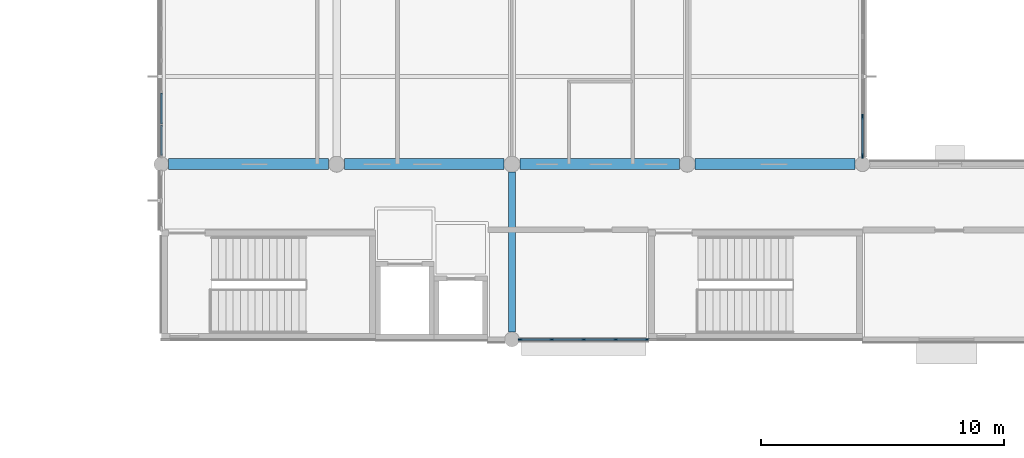
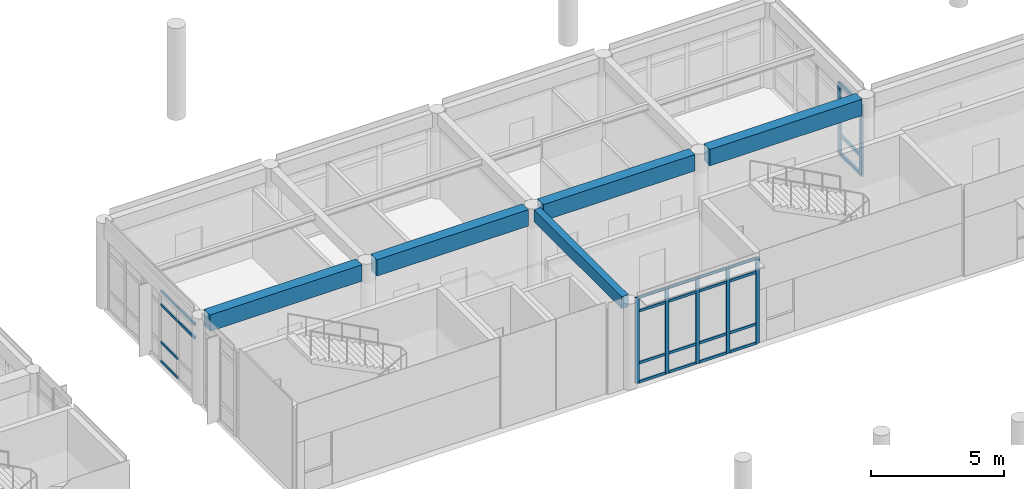
# One storey, part 11 of 55: 33 members, 5 beams, 3 elements without a shape of their own.
"""IFC4 building model written with IfcOpenShell, lengths in metres."""

import ifcopenshell
import ifcopenshell.guid

model = None  # the IFC model being written
_history = None  # IfcOwnerHistory: only IFC2X3 demands one
_inside = {}  # id of a spatial element -> (the spatial element, [elements in it])
_under = {}  # id of a project, library or spatial element -> (it, [spatial elements below it])
_declared = {}  # id of a project -> (the project, [libraries it declares])
_typed = {}  # id of a type object -> (the type object, [elements of that type])
_made_of = {}  # id of a material, layer set ... -> (it, [elements and type objects made of it])


def new_model(schema):
    """Start an empty IFC model of exactly this schema.

    Asked for "IFC4X3", IfcOpenShell would pick the latest addendum, in which some entities
    have other attributes; the version numbers below select the first issue.
    IFC2X3 requires an IfcOwnerHistory on every rooted entity: one is made here for all.
    """
    global model, _history
    if schema == "IFC4X3":
        model = ifcopenshell.file(schema_version=(4, 3, 0, 0))
    else:
        model = ifcopenshell.file(schema=schema)
    _inside.clear()
    _under.clear()
    _declared.clear()
    _typed.clear()
    _made_of.clear()
    _history = None
    if model.schema == "IFC2X3":
        org = make("IfcOrganization", Name="unknown")
        user = make(
            "IfcPersonAndOrganization",
            ThePerson=make("IfcPerson", FamilyName="unknown"),
            TheOrganization=org,
        )
        app = make(
            "IfcApplication",
            ApplicationDeveloper=org,
            Version="unknown",
            ApplicationFullName="unknown",
            ApplicationIdentifier="unknown",
        )
        _history = make(
            "IfcOwnerHistory",
            OwningUser=user,
            OwningApplication=app,
            ChangeAction="ADDED",
            CreationDate=0,
        )
    return model


def make(cls, **values):
    """One entity of the class cls with the attributes given. An attribute that is None is left unset."""
    return model.create_entity(
        cls, **{name: value for name, value in values.items() if value is not None}
    )


def rooted(cls, **values):
    """An entity with a GlobalId (a new one), such as an element, a storey or a relation."""
    return make(cls, GlobalId=ifcopenshell.guid.new(), OwnerHistory=_history, **values)


def si_unit(unit_type, name, prefix=None):
    """IfcSIUnit, for example si_unit("LENGTHUNIT", "METRE", prefix="MILLI")."""
    return make("IfcSIUnit", UnitType=unit_type, Prefix=prefix, Name=name)


def assignment(units):
    """IfcUnitAssignment: the units of a project."""
    return None if units is None else make("IfcUnitAssignment", Units=units)


def point(xyz):
    """IfcCartesianPoint."""
    return None if xyz is None else make("IfcCartesianPoint", Coordinates=xyz)


def direction(xyz):
    """IfcDirection."""
    return None if xyz is None else make("IfcDirection", DirectionRatios=xyz)


def frame(location, z_axis=None, x_axis=None):
    """IfcAxis2Placement3D, a coordinate frame: its origin and axes. An axis left out is left unset."""
    return make(
        "IfcAxis2Placement3D",
        Location=point(location),
        Axis=direction(z_axis),
        RefDirection=direction(x_axis),
    )


def frame_2d(location, x_axis=None):
    """IfcAxis2Placement2D, a coordinate frame in the plane: its origin and x axis."""
    return make(
        "IfcAxis2Placement2D", Location=point(location), RefDirection=direction(x_axis)
    )


def origin():
    """The frame at (0, 0, 0) with its axes left unset."""
    return frame((0.0, 0.0, 0.0))


def origin_2d():
    """The frame at (0, 0) in the plane with its x axis left unset."""
    return frame_2d((0.0, 0.0))


def place(relative_to, where):
    """IfcLocalPlacement: puts the frame where relative to a parent placement (None: the world)."""
    return make(
        "IfcLocalPlacement", PlacementRelTo=relative_to, RelativePlacement=where
    )


def context(
    kind, dimensions, precision=None, world=None, true_north=None, identifier=None
):
    """IfcGeometricRepresentationContext, for example the 3D "Model" context."""
    return make(
        "IfcGeometricRepresentationContext",
        ContextIdentifier=identifier,
        ContextType=kind,
        CoordinateSpaceDimension=dimensions,
        Precision=precision,
        WorldCoordinateSystem=world,
        TrueNorth=true_north,
    )


def subcontext(parent, identifier, kind, view, scale=None):
    """IfcGeometricRepresentationSubContext, for example "Body" below "Model"."""
    return make(
        "IfcGeometricRepresentationSubContext",
        ContextIdentifier=identifier,
        ContextType=kind,
        ParentContext=parent,
        TargetScale=scale,
        TargetView=view,
    )


def project(units=None, contexts=None):
    """IfcProject with its units and contexts."""
    return rooted(
        "IfcProject",
        Name="project",
        RepresentationContexts=contexts,
        UnitsInContext=assignment(units),
    )


def spatial(cls, under=None, at=None, **own):
    """A site, building, storey or space (cls), placed at a placement, below another one or the project."""
    s = rooted(cls, ObjectPlacement=at, **own)
    if under is not None:
        _under.setdefault(under.id(), (under, []))[1].append(s)
    return s


def profile(cls, at=None, kind="AREA", **sizes):
    """A parametric profile (cls). Its sizes go by their IFC names, for example OverallWidth=200.0."""
    return make(cls, ProfileType=kind, Position=at, **sizes)


def rectangle(**sizes):
    """IfcRectangleProfileDef."""
    return profile("IfcRectangleProfileDef", **sizes)


def extrude(swept, where, along, depth):
    """IfcExtrudedAreaSolid: the profile swept, set in the frame where, extruded along a direction by depth."""
    return make(
        "IfcExtrudedAreaSolid",
        SweptArea=swept,
        Position=where,
        ExtrudedDirection=direction(along),
        Depth=depth,
    )


def shape(context_of_items, identifier, shape_type, items):
    """IfcShapeRepresentation: the items that make up one representation, for example the "Body"."""
    return make(
        "IfcShapeRepresentation",
        ContextOfItems=context_of_items,
        RepresentationIdentifier=identifier,
        RepresentationType=shape_type,
        Items=items,
    )


def material(Name=None, Category=None):
    """IfcMaterial."""
    return make("IfcMaterial", Name=Name, Category=Category)


def layer(
    of_material, thickness, ventilated=None, Name=None, Category=None, Priority=None
):
    """IfcMaterialLayer: one layer of a wall or slab, of a material (None: an air gap)."""
    return make(
        "IfcMaterialLayer",
        Material=of_material,
        LayerThickness=thickness,
        IsVentilated=ventilated,
        Name=Name,
        Category=Category,
        Priority=Priority,
    )


def layer_set(layers, Name=None):
    """IfcMaterialLayerSet."""
    return make("IfcMaterialLayerSet", MaterialLayers=layers, LayerSetName=Name)


def material_profile(
    of_material, cross_section, Name=None, Category=None, Priority=None
):
    """IfcMaterialProfile: a cross section and its material."""
    return make(
        "IfcMaterialProfile",
        Name=Name,
        Material=of_material,
        Profile=cross_section,
        Priority=Priority,
        Category=Category,
    )


def profile_set(profiles, Name=None, composite=None):
    """IfcMaterialProfileSet."""
    return make(
        "IfcMaterialProfileSet",
        Name=Name,
        MaterialProfiles=profiles,
        CompositeProfile=composite,
    )


def made_of(thing, what):
    """Note that an element or type object is made of a material, layer set ...; save() writes the relation."""
    if what is not None:
        _made_of.setdefault(what.id(), (what, []))[1].append(thing)
    return thing


def type_object(cls, material=None, **own):
    """A type object (cls), such as IfcWallType, which elements share."""
    return made_of(rooted(cls, **own), material)


def element(
    cls,
    number,
    at=None,
    inside=None,
    cuts=None,
    type_object=None,
    material=None,
    context=None,
    identifier="Body",
    shape_type=None,
    held_by="IfcProductDefinitionShape",
    body=None,
    shapes=None,
    **own,
):
    """One element of the class cls, such as IfcWall. Its Tag is "e" and its number.

    at: its placement. inside: the storey or other place that contains it. cuts: it is an
    opening in that element (IfcRelVoidsElement). A single representation is given by context,
    identifier, shape_type and body (its items); several are given by shapes. held_by: the class
    of the entity that holds the representations. save() writes the other relations.
    """
    e = rooted(cls, Tag="e%d" % number, ObjectPlacement=at, **own)
    if body is not None:
        shapes = [shape(context, identifier, shape_type, body)]
    if shapes is not None:
        e.Representation = make(held_by, Representations=shapes)
    if inside is not None:
        _inside.setdefault(inside.id(), (inside, []))[1].append(e)
    if cuts is not None:
        rooted(
            "IfcRelVoidsElement", RelatingBuildingElement=cuts, RelatedOpeningElement=e
        )
    if type_object is not None:
        _typed.setdefault(type_object.id(), (type_object, []))[1].append(e)
    return made_of(e, material)


def aggregate(whole, parts):
    """IfcRelAggregates: a whole, such as a stair, and the parts it consists of."""
    return rooted("IfcRelAggregates", RelatingObject=whole, RelatedObjects=parts)


def save(model, path):
    """Write the relations noted so far, then the file.

    IfcRelAggregates (storeys below a building ...), IfcRelContainedInSpatialStructure (elements
    in a storey), IfcRelDefinesByType, IfcRelAssociatesMaterial and IfcRelDeclares: one each for
    every whole, place, type object, material and project.
    """
    for whole, parts in _under.values():
        aggregate(whole, parts)
    for where, things in _inside.values():
        rooted(
            "IfcRelContainedInSpatialStructure",
            RelatedElements=things,
            RelatingStructure=where,
        )
    for kind, things in _typed.values():
        rooted("IfcRelDefinesByType", RelatedObjects=things, RelatingType=kind)
    for what, things in _made_of.values():
        rooted("IfcRelAssociatesMaterial", RelatedObjects=things, RelatingMaterial=what)
    for by, libraries in _declared.values():
        rooted("IfcRelDeclares", RelatingContext=by, RelatedDefinitions=libraries)
    model.write(path)


model = new_model("IFC4")

# Units and contexts
model_context = context("Model", 3, precision=1e-05, world=origin(), true_north=direction((0.0, 1.0)))
body_context = subcontext(model_context, "Body", "Model", "MODEL_VIEW")
ifc_project = project(units=[si_unit("LENGTHUNIT", "METRE"), si_unit("AREAUNIT", "SQUARE_METRE"), si_unit("VOLUMEUNIT", "CUBIC_METRE"), si_unit("PLANEANGLEUNIT", "RADIAN"), si_unit("MASSUNIT", "GRAM", prefix="KILO")], contexts=[model_context])

# Site, building, storey
site_placement = place(None, origin())
site = spatial("IfcSite", under=ifc_project, at=site_placement, CompositionType="ELEMENT")
building_placement = place(site_placement, origin())
building = spatial("IfcBuilding", under=site, at=building_placement, Name="Namkhue Oval Health Centre", CompositionType="ELEMENT")
storey_placement = place(building_placement, frame((0.0, 0.0, 9.60009765625)))
storey = spatial("IfcBuildingStorey", under=building, at=storey_placement, Name="L02", CompositionType="ELEMENT", Elevation=9.60009765625)

# Curtain wall, members
ifc_material_1 = material(Name="Anodised aluminium EN AW-6063 T6", Category="aluminium")
ifc_layer_1 = layer(ifc_material_1, 0.159912109375)
ifc_layer_set_1 = layer_set([ifc_layer_1], Name="Anodised aluminium EN AW-6063 T6")
curtain_wall_type_1 = type_object("IfcCurtainWallType", Name="UNITISED CURTAIN WALL M1500", PredefinedType="NOTDEFINED", material=ifc_layer_set_1)
curtain_wall_1_placement = place(storey_placement, origin())
curtain_wall_1 = element("IfcCurtainWall", 1, at=curtain_wall_1_placement, inside=storey, type_object=curtain_wall_type_1, Name="Volume V3 L02 Unitised Curtain Wall 111", PredefinedType="NOTDEFINED")
ifc_material_profile_1 = material_profile(ifc_material_1, rectangle(XDim=0.06494140625, YDim=0.159912109375, at=origin_2d()), Name="ALU 65x160")
ifc_profile_set_1 = profile_set([ifc_material_profile_1], Name="Anodised aluminium EN AW-6063 T6")
member_type_1 = type_object("IfcMemberType", Name="CURTAIN WALL MULLION 65X160", PredefinedType="MULLION", material=ifc_profile_set_1)
member_1_placement = place(storey_placement, frame((108.342529296875, 90.0, 0.0), z_axis=(0.0, 0.0, 1.0), x_axis=(0.0, 1.0, 0.0)))
member_1 = element("IfcMember", 2, at=member_1_placement, type_object=member_type_1, Name="CW-03 mullion 1", PredefinedType="MULLION", context=body_context, shape_type="SweptSolid", body=[
    extrude(rectangle(XDim=0.06494140625, YDim=0.159912109375, at=origin_2d()), origin(), (0.0, 0.0, 1.0), 3.9248046875),
])
member_2_placement = place(storey_placement, frame((109.628173828125, 90.0, 0.0), z_axis=(0.0, 0.0, 1.0), x_axis=(0.0, 1.0, 0.0)))
member_2 = element("IfcMember", 3, at=member_2_placement, type_object=member_type_1, Name="CW-03 mullion 2", PredefinedType="MULLION", context=body_context, shape_type="SweptSolid", body=[
    extrude(rectangle(XDim=0.06494140625, YDim=0.159912109375, at=origin_2d()), origin(), (0.0, 0.0, 1.0), 3.9248046875),
])
member_3_placement = place(storey_placement, frame((110.946533203125, 90.0, 0.0), z_axis=(0.0, 0.0, 1.0), x_axis=(0.0, 1.0, 0.0)))
member_3 = element("IfcMember", 4, at=member_3_placement, type_object=member_type_1, Name="CW-03 mullion 3", PredefinedType="MULLION", context=body_context, shape_type="SweptSolid", body=[
    extrude(rectangle(XDim=0.06494140625, YDim=0.159912109375, at=origin_2d()), origin(), (0.0, 0.0, 1.0), 3.9248046875),
])
member_4_placement = place(storey_placement, frame((112.2646484375, 90.0, 0.0), z_axis=(0.0, 0.0, 1.0), x_axis=(0.0, 1.0, 0.0)))
member_4 = element("IfcMember", 5, at=member_4_placement, type_object=member_type_1, Name="CW-03 mullion 4", PredefinedType="MULLION", context=body_context, shape_type="SweptSolid", body=[
    extrude(rectangle(XDim=0.06494140625, YDim=0.159912109375, at=origin_2d()), origin(), (0.0, 0.0, 1.0), 3.9248046875),
])
member_5_placement = place(storey_placement, frame((113.550537109375, 90.0, 0.0), z_axis=(0.0, 0.0, 1.0), x_axis=(0.0, 1.0, 0.0)))
member_5 = element("IfcMember", 6, at=member_5_placement, type_object=member_type_1, Name="CW-03 mullion 5", PredefinedType="MULLION", context=body_context, shape_type="SweptSolid", body=[
    extrude(rectangle(XDim=0.06494140625, YDim=0.159912109375, at=origin_2d()), origin(), (0.0, 0.0, 1.0), 3.9248046875),
])

ifc_layer_2 = layer(ifc_material_1, 0.159912109375)
ifc_layer_set_2 = layer_set([ifc_layer_2], Name="Anodised aluminium EN AW-6063 T6")
curtain_wall_type_2 = type_object("IfcCurtainWallType", Name="UNITISED CURTAIN WALL M1600", PredefinedType="NOTDEFINED", material=ifc_layer_set_2)
curtain_wall_2_placement = place(storey_placement, origin())
curtain_wall_2 = element("IfcCurtainWall", 7, at=curtain_wall_2_placement, inside=storey, type_object=curtain_wall_type_2, Name="Volume V3 L02 Unitised Curtain Wall 112", PredefinedType="NOTDEFINED")
ifc_material_profile_2 = material_profile(ifc_material_1, rectangle(XDim=0.074951171875, YDim=0.199951171875, at=origin_2d()), Name="ALU 75x200")
ifc_profile_set_2 = profile_set([ifc_material_profile_2], Name="Anodised aluminium EN AW-6063 T6")
member_type_2 = type_object("IfcMemberType", Name="CURTAIN WALL MULLION 75X200", PredefinedType="MULLION", material=ifc_profile_set_2)
member_6_placement = place(storey_placement, frame((122.39990234375, 97.547607421875, 0.0), z_axis=(0.0, 0.0, 1.0), x_axis=(-1.0, 0.0, 0.0)))
member_6 = element("IfcMember", 8, at=member_6_placement, type_object=member_type_2, Name="CW-04 mullion 1", PredefinedType="MULLION", context=body_context, shape_type="SweptSolid", body=[
    extrude(rectangle(XDim=0.074951171875, YDim=0.199951171875, at=origin_2d()), origin(), (0.0, 0.0, 1.0), 3.27490234375),
])
member_7_placement = place(storey_placement, frame((122.39990234375, 99.155029296875, 0.0), z_axis=(0.0, 0.0, 1.0), x_axis=(-1.0, 0.0, 0.0)))
member_7 = element("IfcMember", 9, at=member_7_placement, type_object=member_type_2, Name="CW-04 mullion 2", PredefinedType="MULLION", context=body_context, shape_type="SweptSolid", body=[
    extrude(rectangle(XDim=0.074951171875, YDim=0.199951171875, at=origin_2d()), origin(), (0.0, 0.0, 1.0), 3.27490234375),
])

# Member
ifc_material_profile_3 = material_profile(ifc_material_1, rectangle(XDim=0.06494140625, YDim=0.1201171875, at=origin_2d()), Name="ALU 65x120")
ifc_profile_set_3 = profile_set([ifc_material_profile_3], Name="Anodised aluminium EN AW-6063 T6")
member_type_3 = type_object("IfcMemberType", Name="CURTAIN WALL TRANSOM 65X120", PredefinedType="USERDEFINED", material=ifc_profile_set_3)
member_8_placement = place(storey_placement, frame((108.375, 90.0, 0.032470703125), z_axis=(1.0, 0.0, 0.0), x_axis=(0.0, 1.0, 0.0)))
member_8 = element("IfcMember", 10, at=member_8_placement, type_object=member_type_3, Name="CW-03 transom 1.1", ObjectType="TRANSOM", PredefinedType="USERDEFINED", context=body_context, shape_type="SweptSolid", body=[
    extrude(rectangle(XDim=0.06494140625, YDim=0.1201171875, at=origin_2d()), origin(), (0.0, 0.0, 1.0), 1.220703125),
])

member_9_placement = place(storey_placement, frame((108.375, 90.0, 0.89990234375), z_axis=(1.0, 0.0, 0.0), x_axis=(0.0, 1.0, 0.0)))
member_9 = element("IfcMember", 11, at=member_9_placement, type_object=member_type_3, Name="CW-03 transom 1.2", ObjectType="TRANSOM", PredefinedType="USERDEFINED", context=body_context, shape_type="SweptSolid", body=[
    extrude(rectangle(XDim=0.06494140625, YDim=0.1201171875, at=origin_2d()), origin(), (0.0, 0.0, 1.0), 1.220703125),
])

member_10_placement = place(storey_placement, frame((108.375, 90.0, 3.27490234375), z_axis=(1.0, 0.0, 0.0), x_axis=(0.0, 1.0, 0.0)))
member_10 = element("IfcMember", 12, at=member_10_placement, type_object=member_type_3, Name="CW-03 transom 1.3", ObjectType="TRANSOM", PredefinedType="USERDEFINED", context=body_context, shape_type="SweptSolid", body=[
    extrude(rectangle(XDim=0.06494140625, YDim=0.1201171875, at=origin_2d()), origin(), (0.0, 0.0, 1.0), 1.220703125),
])

member_11_placement = place(storey_placement, frame((108.375, 90.0, 3.892333984375), z_axis=(1.0, 0.0, 0.0), x_axis=(0.0, 1.0, 0.0)))
member_11 = element("IfcMember", 13, at=member_11_placement, type_object=member_type_3, Name="CW-03 transom 1.4", ObjectType="TRANSOM", PredefinedType="USERDEFINED", context=body_context, shape_type="SweptSolid", body=[
    extrude(rectangle(XDim=0.06494140625, YDim=0.1201171875, at=origin_2d()), origin(), (0.0, 0.0, 1.0), 1.220703125),
])

member_12_placement = place(storey_placement, frame((109.66064453125, 90.0, 0.032470703125), z_axis=(1.0, 0.0, 0.0), x_axis=(0.0, 1.0, 0.0)))
member_12 = element("IfcMember", 14, at=member_12_placement, type_object=member_type_3, Name="CW-03 transom 2.1", ObjectType="TRANSOM", PredefinedType="USERDEFINED", context=body_context, shape_type="SweptSolid", body=[
    extrude(rectangle(XDim=0.06494140625, YDim=0.1201171875, at=origin_2d()), origin(), (0.0, 0.0, 1.0), 1.25341796875),
])

member_13_placement = place(storey_placement, frame((109.66064453125, 90.0, 0.89990234375), z_axis=(1.0, 0.0, 0.0), x_axis=(0.0, 1.0, 0.0)))
member_13 = element("IfcMember", 15, at=member_13_placement, type_object=member_type_3, Name="CW-03 transom 2.2", ObjectType="TRANSOM", PredefinedType="USERDEFINED", context=body_context, shape_type="SweptSolid", body=[
    extrude(rectangle(XDim=0.06494140625, YDim=0.1201171875, at=origin_2d()), origin(), (0.0, 0.0, 1.0), 1.25341796875),
])

member_14_placement = place(storey_placement, frame((109.66064453125, 90.0, 3.27490234375), z_axis=(1.0, 0.0, 0.0), x_axis=(0.0, 1.0, 0.0)))
member_14 = element("IfcMember", 16, at=member_14_placement, type_object=member_type_3, Name="CW-03 transom 2.3", ObjectType="TRANSOM", PredefinedType="USERDEFINED", context=body_context, shape_type="SweptSolid", body=[
    extrude(rectangle(XDim=0.06494140625, YDim=0.1201171875, at=origin_2d()), origin(), (0.0, 0.0, 1.0), 1.25341796875),
])

member_15_placement = place(storey_placement, frame((109.66064453125, 90.0, 3.892333984375), z_axis=(1.0, 0.0, 0.0), x_axis=(0.0, 1.0, 0.0)))
member_15 = element("IfcMember", 17, at=member_15_placement, type_object=member_type_3, Name="CW-03 transom 2.4", ObjectType="TRANSOM", PredefinedType="USERDEFINED", context=body_context, shape_type="SweptSolid", body=[
    extrude(rectangle(XDim=0.06494140625, YDim=0.1201171875, at=origin_2d()), origin(), (0.0, 0.0, 1.0), 1.25341796875),
])

member_16_placement = place(storey_placement, frame((110.97900390625, 90.0, 0.032470703125), z_axis=(1.0, 0.0, 0.0), x_axis=(0.0, 1.0, 0.0)))
member_16 = element("IfcMember", 18, at=member_16_placement, type_object=member_type_3, Name="CW-03 transom 3.1", ObjectType="TRANSOM", PredefinedType="USERDEFINED", context=body_context, shape_type="SweptSolid", body=[
    extrude(rectangle(XDim=0.06494140625, YDim=0.1201171875, at=origin_2d()), origin(), (0.0, 0.0, 1.0), 1.253173828125),
])

member_17_placement = place(storey_placement, frame((110.97900390625, 90.0, 0.89990234375), z_axis=(1.0, 0.0, 0.0), x_axis=(0.0, 1.0, 0.0)))
member_17 = element("IfcMember", 19, at=member_17_placement, type_object=member_type_3, Name="CW-03 transom 3.2", ObjectType="TRANSOM", PredefinedType="USERDEFINED", context=body_context, shape_type="SweptSolid", body=[
    extrude(rectangle(XDim=0.06494140625, YDim=0.1201171875, at=origin_2d()), origin(), (0.0, 0.0, 1.0), 1.253173828125),
])

member_18_placement = place(storey_placement, frame((110.97900390625, 90.0, 3.27490234375), z_axis=(1.0, 0.0, 0.0), x_axis=(0.0, 1.0, 0.0)))
member_18 = element("IfcMember", 20, at=member_18_placement, type_object=member_type_3, Name="CW-03 transom 3.3", ObjectType="TRANSOM", PredefinedType="USERDEFINED", context=body_context, shape_type="SweptSolid", body=[
    extrude(rectangle(XDim=0.06494140625, YDim=0.1201171875, at=origin_2d()), origin(), (0.0, 0.0, 1.0), 1.253173828125),
])

member_19_placement = place(storey_placement, frame((110.97900390625, 90.0, 3.892333984375), z_axis=(1.0, 0.0, 0.0), x_axis=(0.0, 1.0, 0.0)))
member_19 = element("IfcMember", 21, at=member_19_placement, type_object=member_type_3, Name="CW-03 transom 3.4", ObjectType="TRANSOM", PredefinedType="USERDEFINED", context=body_context, shape_type="SweptSolid", body=[
    extrude(rectangle(XDim=0.06494140625, YDim=0.1201171875, at=origin_2d()), origin(), (0.0, 0.0, 1.0), 1.253173828125),
])

member_20_placement = place(storey_placement, frame((112.29736328125, 90.0, 0.032470703125), z_axis=(1.0, 0.0, 0.0), x_axis=(0.0, 1.0, 0.0)))
member_20 = element("IfcMember", 22, at=member_20_placement, type_object=member_type_3, Name="CW-03 transom 4.1", ObjectType="TRANSOM", PredefinedType="USERDEFINED", context=body_context, shape_type="SweptSolid", body=[
    extrude(rectangle(XDim=0.06494140625, YDim=0.1201171875, at=origin_2d()), origin(), (0.0, 0.0, 1.0), 1.220703125),
])

member_21_placement = place(storey_placement, frame((112.29736328125, 90.0, 0.89990234375), z_axis=(1.0, 0.0, 0.0), x_axis=(0.0, 1.0, 0.0)))
member_21 = element("IfcMember", 23, at=member_21_placement, type_object=member_type_3, Name="CW-03 transom 4.2", ObjectType="TRANSOM", PredefinedType="USERDEFINED", context=body_context, shape_type="SweptSolid", body=[
    extrude(rectangle(XDim=0.06494140625, YDim=0.1201171875, at=origin_2d()), origin(), (0.0, 0.0, 1.0), 1.220703125),
])

member_22_placement = place(storey_placement, frame((112.29736328125, 90.0, 3.27490234375), z_axis=(1.0, 0.0, 0.0), x_axis=(0.0, 1.0, 0.0)))
member_22 = element("IfcMember", 24, at=member_22_placement, type_object=member_type_3, Name="CW-03 transom 4.3", ObjectType="TRANSOM", PredefinedType="USERDEFINED", context=body_context, shape_type="SweptSolid", body=[
    extrude(rectangle(XDim=0.06494140625, YDim=0.1201171875, at=origin_2d()), origin(), (0.0, 0.0, 1.0), 1.220703125),
])

member_23_placement = place(storey_placement, frame((112.29736328125, 90.0, 3.892333984375), z_axis=(1.0, 0.0, 0.0), x_axis=(0.0, 1.0, 0.0)))
member_23 = element("IfcMember", 25, at=member_23_placement, type_object=member_type_3, Name="CW-03 transom 4.4", ObjectType="TRANSOM", PredefinedType="USERDEFINED", context=body_context, shape_type="SweptSolid", body=[
    extrude(rectangle(XDim=0.06494140625, YDim=0.1201171875, at=origin_2d()), origin(), (0.0, 0.0, 1.0), 1.220703125),
])

aggregate(curtain_wall_1, [member_1, member_2, member_3, member_4, member_5, member_8, member_9, member_10, member_11, member_12, member_13, member_14, member_15, member_16, member_17, member_18, member_19, member_20, member_21, member_22, member_23])

# Curtain wall, members
ifc_layer_3 = layer(ifc_material_1, 0.159912109375)
ifc_layer_set_3 = layer_set([ifc_layer_3], Name="Anodised aluminium EN AW-6063 T6")
curtain_wall_type_3 = type_object("IfcCurtainWallType", Name="UNITISED CURTAIN WALL M1200", PredefinedType="NOTDEFINED", material=ifc_layer_set_3)
curtain_wall_3_placement = place(storey_placement, origin())
curtain_wall_3 = element("IfcCurtainWall", 26, at=curtain_wall_3_placement, inside=storey, type_object=curtain_wall_type_3, Name="Volume V3 L02 Unitised Curtain Wall 115", PredefinedType="NOTDEFINED")
member_24_placement = place(storey_placement, frame((93.60009765625, 100.109619140625, 0.032470703125), z_axis=(0.0, -1.0, 0.0), x_axis=(1.0, 0.0, 0.0)))
member_24 = element("IfcMember", 27, at=member_24_placement, type_object=member_type_3, Name="CW-01 transom 4.1", ObjectType="TRANSOM", PredefinedType="USERDEFINED", context=body_context, shape_type="SweptSolid", body=[
    extrude(rectangle(XDim=0.06494140625, YDim=0.1201171875, at=origin_2d()), origin(), (0.0, 0.0, 1.0), 1.251220703125),
])
member_25_placement = place(storey_placement, frame((93.60009765625, 100.109619140625, 0.89990234375), z_axis=(0.0, -1.0, 0.0), x_axis=(1.0, 0.0, 0.0)))
member_25 = element("IfcMember", 28, at=member_25_placement, type_object=member_type_3, Name="CW-01 transom 4.2", ObjectType="TRANSOM", PredefinedType="USERDEFINED", context=body_context, shape_type="SweptSolid", body=[
    extrude(rectangle(XDim=0.06494140625, YDim=0.1201171875, at=origin_2d()), origin(), (0.0, 0.0, 1.0), 1.251220703125),
])
member_26_placement = place(storey_placement, frame((93.60009765625, 100.109619140625, 2.625), z_axis=(0.0, -1.0, 0.0), x_axis=(1.0, 0.0, 0.0)))
member_26 = element("IfcMember", 29, at=member_26_placement, type_object=member_type_3, Name="CW-01 transom 4.3", ObjectType="TRANSOM", PredefinedType="USERDEFINED", context=body_context, shape_type="SweptSolid", body=[
    extrude(rectangle(XDim=0.06494140625, YDim=0.1201171875, at=origin_2d()), origin(), (0.0, 0.0, 1.0), 1.251220703125),
])
member_27_placement = place(storey_placement, frame((93.60009765625, 100.109619140625, 3.242431640625), z_axis=(0.0, -1.0, 0.0), x_axis=(1.0, 0.0, 0.0)))
member_27 = element("IfcMember", 30, at=member_27_placement, type_object=member_type_3, Name="CW-01 transom 4.4", ObjectType="TRANSOM", PredefinedType="USERDEFINED", context=body_context, shape_type="SweptSolid", body=[
    extrude(rectangle(XDim=0.06494140625, YDim=0.1201171875, at=origin_2d()), origin(), (0.0, 0.0, 1.0), 1.251220703125),
])
member_28_placement = place(storey_placement, frame((93.60009765625, 98.79345703125, 2.625), z_axis=(0.0, -1.0, 0.0), x_axis=(1.0, 0.0, 0.0)))
member_28 = element("IfcMember", 31, at=member_28_placement, type_object=member_type_3, Name="CW-01 transom 5.3", ObjectType="TRANSOM", PredefinedType="USERDEFINED", context=body_context, shape_type="SweptSolid", body=[
    extrude(rectangle(XDim=0.06494140625, YDim=0.1201171875, at=origin_2d()), origin(), (0.0, 0.0, 1.0), 1.218505859375),
])
member_29_placement = place(storey_placement, frame((93.60009765625, 98.79345703125, 3.242431640625), z_axis=(0.0, -1.0, 0.0), x_axis=(1.0, 0.0, 0.0)))
member_29 = element("IfcMember", 32, at=member_29_placement, type_object=member_type_3, Name="CW-01 transom 5.4", ObjectType="TRANSOM", PredefinedType="USERDEFINED", context=body_context, shape_type="SweptSolid", body=[
    extrude(rectangle(XDim=0.06494140625, YDim=0.1201171875, at=origin_2d()), origin(), (0.0, 0.0, 1.0), 1.218505859375),
])
aggregate(curtain_wall_3, [member_24, member_25, member_26, member_27, member_28, member_29])

# Member
ifc_material_profile_4 = material_profile(ifc_material_1, rectangle(XDim=0.074951171875, YDim=0.14990234375, at=origin_2d()), Name="ALU 75x150")
ifc_profile_set_4 = profile_set([ifc_material_profile_4], Name="Anodised aluminium EN AW-6063 T6")
member_type_4 = type_object("IfcMemberType", Name="CURTAIN WALL TRANSOM 75X150", PredefinedType="USERDEFINED", material=ifc_profile_set_4)
member_30_placement = place(storey_placement, frame((122.39990234375, 97.5849609375, 0.037353515625), z_axis=(0.0, 1.0, 0.0), x_axis=(-1.0, 0.0, 0.0)))
member_30 = element("IfcMember", 33, at=member_30_placement, type_object=member_type_4, Name="CW-04 transom 1.1", ObjectType="TRANSOM", PredefinedType="USERDEFINED", context=body_context, shape_type="SweptSolid", body=[
    extrude(rectangle(XDim=0.074951171875, YDim=0.14990234375, at=origin_2d()), origin(), (0.0, 0.0, 1.0), 1.532470703125),
])

member_31_placement = place(storey_placement, frame((122.39990234375, 97.5849609375, 0.89990234375), z_axis=(0.0, 1.0, 0.0), x_axis=(-1.0, 0.0, 0.0)))
member_31 = element("IfcMember", 34, at=member_31_placement, type_object=member_type_4, Name="CW-04 transom 1.2", ObjectType="TRANSOM", PredefinedType="USERDEFINED", context=body_context, shape_type="SweptSolid", body=[
    extrude(rectangle(XDim=0.074951171875, YDim=0.14990234375, at=origin_2d()), origin(), (0.0, 0.0, 1.0), 1.532470703125),
])

member_32_placement = place(storey_placement, frame((122.39990234375, 97.5849609375, 2.625), z_axis=(0.0, 1.0, 0.0), x_axis=(-1.0, 0.0, 0.0)))
member_32 = element("IfcMember", 35, at=member_32_placement, type_object=member_type_4, Name="CW-04 transom 1.3", ObjectType="TRANSOM", PredefinedType="USERDEFINED", context=body_context, shape_type="SweptSolid", body=[
    extrude(rectangle(XDim=0.074951171875, YDim=0.14990234375, at=origin_2d()), origin(), (0.0, 0.0, 1.0), 1.532470703125),
])

member_33_placement = place(storey_placement, frame((122.39990234375, 97.5849609375, 3.2373046875), z_axis=(0.0, 1.0, 0.0), x_axis=(-1.0, 0.0, 0.0)))
member_33 = element("IfcMember", 36, at=member_33_placement, type_object=member_type_4, Name="CW-04 transom 1.4", ObjectType="TRANSOM", PredefinedType="USERDEFINED", context=body_context, shape_type="SweptSolid", body=[
    extrude(rectangle(XDim=0.074951171875, YDim=0.14990234375, at=origin_2d()), origin(), (0.0, 0.0, 1.0), 1.532470703125),
])

aggregate(curtain_wall_2, [member_6, member_7, member_30, member_31, member_32, member_33])

# Beams
ifc_material_2 = material(Name="Reinforced concrete C30/37 (TCVN B35)", Category="concrete")
ifc_material_profile_5 = material_profile(ifc_material_2, rectangle(XDim=0.300048828125, YDim=0.550048828125, at=origin_2d()), Name="RC 300x550")
ifc_profile_set_5 = profile_set([ifc_material_profile_5], Name="Reinforced concrete C30/37 (TCVN B35)")
beam_type_1 = type_object("IfcBeamType", Name="FLOOR BEAM RC 300X550", PredefinedType="BEAM", material=ifc_profile_set_5)
beam_1_placement = place(storey_placement, frame((108.0, 90.300048828125, 3.64990234375), z_axis=(0.0, 1.0, 0.0), x_axis=(-1.0, 0.0, 0.0)))
element("IfcBeam", 37, at=beam_1_placement, inside=storey, type_object=beam_type_1, Name="Volume V3 L03 Beam 16/N-O", PredefinedType="BEAM", context=body_context, shape_type="SweptSolid", body=[
    extrude(rectangle(XDim=0.300048828125, YDim=0.550048828125, at=origin_2d()), origin(), (0.0, 0.0, 1.0), 6.574951171875),
])
ifc_material_3 = material(Name="Reinforced concrete C35/45 (TCVN B40)", Category="concrete")
ifc_material_profile_6 = material_profile(ifc_material_3, rectangle(XDim=0.449951171875, YDim=0.75, at=origin_2d()), Name="RC 450x750")
ifc_profile_set_6 = profile_set([ifc_material_profile_6], Name="Reinforced concrete C35/45 (TCVN B40)")
beam_type_2 = type_object("IfcBeamType", Name="PRIMARY GIRDER RC 450X750", PredefinedType="USERDEFINED", material=ifc_profile_set_6)
beam_2_placement = place(storey_placement, frame((93.89990234375, 97.199951171875, 3.5498046875), z_axis=(1.0, 0.0, 0.0), x_axis=(0.0, 1.0, 0.0)))
element("IfcBeam", 38, at=beam_2_placement, inside=storey, type_object=beam_type_2, Name="Volume V3 L03 Girder O/14-15", ObjectType="GIRDER", PredefinedType="USERDEFINED", context=body_context, shape_type="SweptSolid", body=[
    extrude(rectangle(XDim=0.449951171875, YDim=0.75, at=origin_2d()), origin(), (0.0, 0.0, 1.0), 6.5751953125),
])
for number, where, z_axis, x_axis, name in (
    (39, (101.125, 97.199951171875, 3.5498046875), (1.0, 0.0, 0.0), (0.0, 1.0, 0.0), "Volume V3 L03 Girder O/15-16"),
    (40, (108.324951171875, 97.199951171875, 3.5498046875), (1.0, 0.0, 0.0), (0.0, 1.0, 0.0), "Volume V3 L03 Girder O/16-17"),
):
    element("IfcBeam", number, at=place(storey_placement, frame(where, z_axis=z_axis, x_axis=x_axis)), inside=storey, type_object=beam_type_2, Name=name, ObjectType="GIRDER", PredefinedType="USERDEFINED", context=body_context, shape_type="SweptSolid", body=[
        extrude(rectangle(XDim=0.449951171875, YDim=0.75, at=origin_2d()), origin(), (0.0, 0.0, 1.0), 6.550048828125),
    ])
beam_3_placement = place(storey_placement, frame((115.52490234375, 97.199951171875, 3.5498046875), z_axis=(1.0, 0.0, 0.0), x_axis=(0.0, 1.0, 0.0)))
element("IfcBeam", 41, at=beam_3_placement, inside=storey, type_object=beam_type_2, Name="Volume V3 L03 Girder O/17-18", ObjectType="GIRDER", PredefinedType="USERDEFINED", context=body_context, shape_type="SweptSolid", body=[
    extrude(rectangle(XDim=0.449951171875, YDim=0.75, at=origin_2d()), origin(), (0.0, 0.0, 1.0), 6.5751953125),
])

save(model, "model.ifc")
